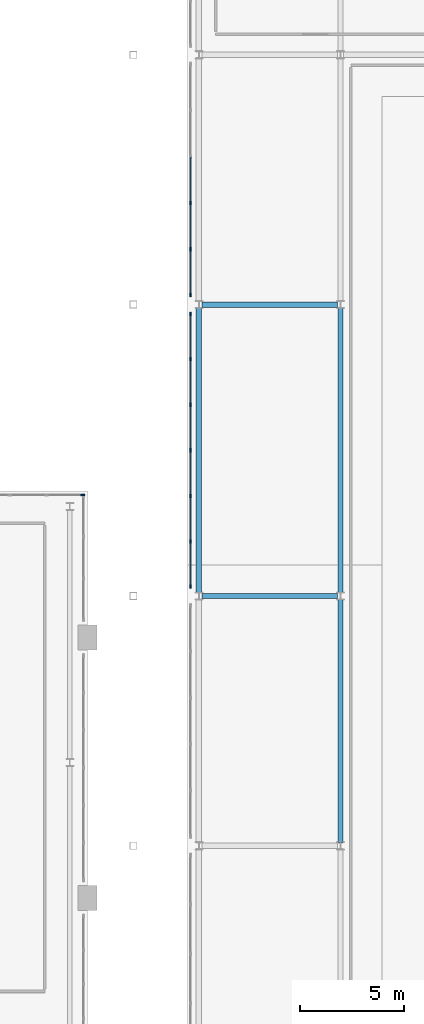
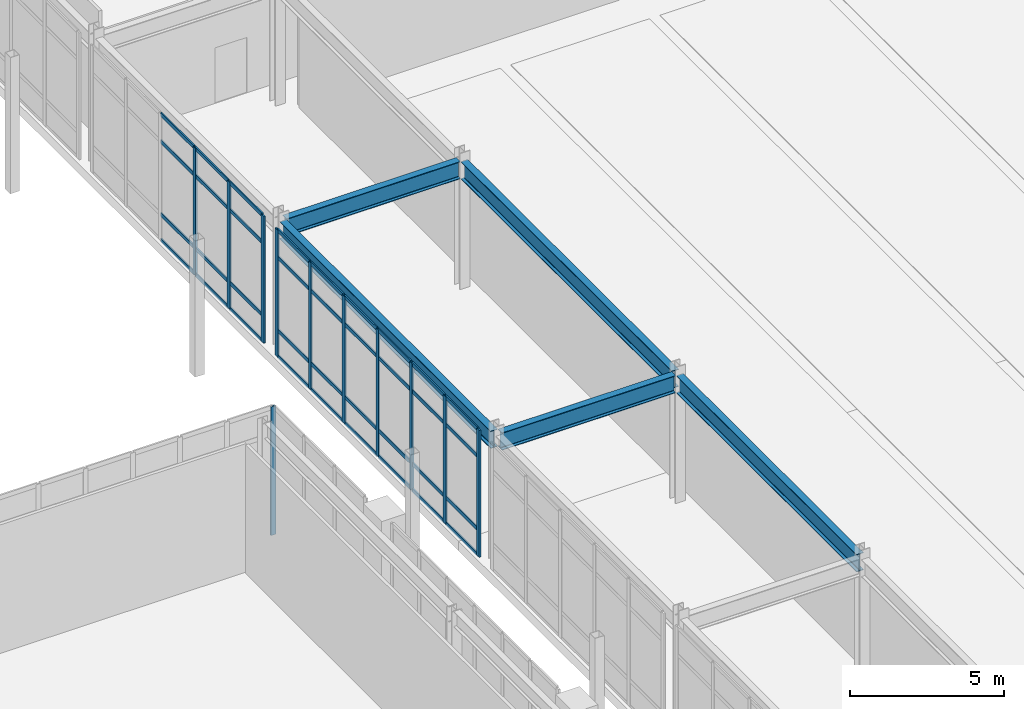
# One storey, part 70 of 159: 47 members, 5 beams, 3 elements without a shape of their own.
"""IFC4 building model written with IfcOpenShell, lengths in metres."""

import ifcopenshell
import ifcopenshell.guid

model = None  # the IFC model being written
_history = None  # IfcOwnerHistory: only IFC2X3 demands one
_inside = {}  # id of a spatial element -> (the spatial element, [elements in it])
_under = {}  # id of a project, library or spatial element -> (it, [spatial elements below it])
_declared = {}  # id of a project -> (the project, [libraries it declares])
_typed = {}  # id of a type object -> (the type object, [elements of that type])
_made_of = {}  # id of a material, layer set ... -> (it, [elements and type objects made of it])


def new_model(schema):
    """Start an empty IFC model of exactly this schema.

    Asked for "IFC4X3", IfcOpenShell would pick the latest addendum, in which some entities
    have other attributes; the version numbers below select the first issue.
    IFC2X3 requires an IfcOwnerHistory on every rooted entity: one is made here for all.
    """
    global model, _history
    if schema == "IFC4X3":
        model = ifcopenshell.file(schema_version=(4, 3, 0, 0))
    else:
        model = ifcopenshell.file(schema=schema)
    _inside.clear()
    _under.clear()
    _declared.clear()
    _typed.clear()
    _made_of.clear()
    _history = None
    if model.schema == "IFC2X3":
        org = make("IfcOrganization", Name="unknown")
        user = make(
            "IfcPersonAndOrganization",
            ThePerson=make("IfcPerson", FamilyName="unknown"),
            TheOrganization=org,
        )
        app = make(
            "IfcApplication",
            ApplicationDeveloper=org,
            Version="unknown",
            ApplicationFullName="unknown",
            ApplicationIdentifier="unknown",
        )
        _history = make(
            "IfcOwnerHistory",
            OwningUser=user,
            OwningApplication=app,
            ChangeAction="ADDED",
            CreationDate=0,
        )
    return model


def make(cls, **values):
    """One entity of the class cls with the attributes given. An attribute that is None is left unset."""
    return model.create_entity(
        cls, **{name: value for name, value in values.items() if value is not None}
    )


def rooted(cls, **values):
    """An entity with a GlobalId (a new one), such as an element, a storey or a relation."""
    return make(cls, GlobalId=ifcopenshell.guid.new(), OwnerHistory=_history, **values)


def si_unit(unit_type, name, prefix=None):
    """IfcSIUnit, for example si_unit("LENGTHUNIT", "METRE", prefix="MILLI")."""
    return make("IfcSIUnit", UnitType=unit_type, Prefix=prefix, Name=name)


def derived_unit(unit_type, elements):
    """IfcDerivedUnit: a product of units, each with its exponent."""
    return make(
        "IfcDerivedUnit",
        Elements=[
            make("IfcDerivedUnitElement", Unit=unit, Exponent=power)
            for unit, power in elements
        ],
        UnitType=unit_type,
    )


def assignment(units):
    """IfcUnitAssignment: the units of a project."""
    return None if units is None else make("IfcUnitAssignment", Units=units)


def point(xyz):
    """IfcCartesianPoint."""
    return None if xyz is None else make("IfcCartesianPoint", Coordinates=xyz)


def direction(xyz):
    """IfcDirection."""
    return None if xyz is None else make("IfcDirection", DirectionRatios=xyz)


def frame(location, z_axis=None, x_axis=None):
    """IfcAxis2Placement3D, a coordinate frame: its origin and axes. An axis left out is left unset."""
    return make(
        "IfcAxis2Placement3D",
        Location=point(location),
        Axis=direction(z_axis),
        RefDirection=direction(x_axis),
    )


def frame_2d(location, x_axis=None):
    """IfcAxis2Placement2D, a coordinate frame in the plane: its origin and x axis."""
    return make(
        "IfcAxis2Placement2D", Location=point(location), RefDirection=direction(x_axis)
    )


def origin():
    """The frame at (0, 0, 0) with its axes left unset."""
    return frame((0.0, 0.0, 0.0))


def origin_2d():
    """The frame at (0, 0) in the plane with its x axis left unset."""
    return frame_2d((0.0, 0.0))


def place(relative_to, where):
    """IfcLocalPlacement: puts the frame where relative to a parent placement (None: the world)."""
    return make(
        "IfcLocalPlacement", PlacementRelTo=relative_to, RelativePlacement=where
    )


def context(
    kind, dimensions, precision=None, world=None, true_north=None, identifier=None
):
    """IfcGeometricRepresentationContext, for example the 3D "Model" context."""
    return make(
        "IfcGeometricRepresentationContext",
        ContextIdentifier=identifier,
        ContextType=kind,
        CoordinateSpaceDimension=dimensions,
        Precision=precision,
        WorldCoordinateSystem=world,
        TrueNorth=true_north,
    )


def subcontext(parent, identifier, kind, view, scale=None):
    """IfcGeometricRepresentationSubContext, for example "Body" below "Model"."""
    return make(
        "IfcGeometricRepresentationSubContext",
        ContextIdentifier=identifier,
        ContextType=kind,
        ParentContext=parent,
        TargetScale=scale,
        TargetView=view,
    )


def project(units=None, contexts=None):
    """IfcProject with its units and contexts."""
    return rooted(
        "IfcProject",
        Name="project",
        RepresentationContexts=contexts,
        UnitsInContext=assignment(units),
    )


def spatial(cls, under=None, at=None, **own):
    """A site, building, storey or space (cls), placed at a placement, below another one or the project."""
    s = rooted(cls, ObjectPlacement=at, **own)
    if under is not None:
        _under.setdefault(under.id(), (under, []))[1].append(s)
    return s


def profile(cls, at=None, kind="AREA", **sizes):
    """A parametric profile (cls). Its sizes go by their IFC names, for example OverallWidth=200.0."""
    return make(cls, ProfileType=kind, Position=at, **sizes)


def rectangle(**sizes):
    """IfcRectangleProfileDef."""
    return profile("IfcRectangleProfileDef", **sizes)


def i_section(**sizes):
    """IfcIShapeProfileDef."""
    return profile("IfcIShapeProfileDef", **sizes)


def extrude(swept, where, along, depth):
    """IfcExtrudedAreaSolid: the profile swept, set in the frame where, extruded along a direction by depth."""
    return make(
        "IfcExtrudedAreaSolid",
        SweptArea=swept,
        Position=where,
        ExtrudedDirection=direction(along),
        Depth=depth,
    )


def shape(context_of_items, identifier, shape_type, items):
    """IfcShapeRepresentation: the items that make up one representation, for example the "Body"."""
    return make(
        "IfcShapeRepresentation",
        ContextOfItems=context_of_items,
        RepresentationIdentifier=identifier,
        RepresentationType=shape_type,
        Items=items,
    )


def material(Name=None, Category=None):
    """IfcMaterial."""
    return make("IfcMaterial", Name=Name, Category=Category)


def layer(
    of_material, thickness, ventilated=None, Name=None, Category=None, Priority=None
):
    """IfcMaterialLayer: one layer of a wall or slab, of a material (None: an air gap)."""
    return make(
        "IfcMaterialLayer",
        Material=of_material,
        LayerThickness=thickness,
        IsVentilated=ventilated,
        Name=Name,
        Category=Category,
        Priority=Priority,
    )


def layer_set(layers, Name=None):
    """IfcMaterialLayerSet."""
    return make("IfcMaterialLayerSet", MaterialLayers=layers, LayerSetName=Name)


def material_profile(
    of_material, cross_section, Name=None, Category=None, Priority=None
):
    """IfcMaterialProfile: a cross section and its material."""
    return make(
        "IfcMaterialProfile",
        Name=Name,
        Material=of_material,
        Profile=cross_section,
        Priority=Priority,
        Category=Category,
    )


def profile_set(profiles, Name=None, composite=None):
    """IfcMaterialProfileSet."""
    return make(
        "IfcMaterialProfileSet",
        Name=Name,
        MaterialProfiles=profiles,
        CompositeProfile=composite,
    )


def made_of(thing, what):
    """Note that an element or type object is made of a material, layer set ...; save() writes the relation."""
    if what is not None:
        _made_of.setdefault(what.id(), (what, []))[1].append(thing)
    return thing


def type_object(cls, material=None, **own):
    """A type object (cls), such as IfcWallType, which elements share."""
    return made_of(rooted(cls, **own), material)


def element(
    cls,
    number,
    at=None,
    inside=None,
    cuts=None,
    type_object=None,
    material=None,
    context=None,
    identifier="Body",
    shape_type=None,
    held_by="IfcProductDefinitionShape",
    body=None,
    shapes=None,
    **own,
):
    """One element of the class cls, such as IfcWall. Its Tag is "e" and its number.

    at: its placement. inside: the storey or other place that contains it. cuts: it is an
    opening in that element (IfcRelVoidsElement). A single representation is given by context,
    identifier, shape_type and body (its items); several are given by shapes. held_by: the class
    of the entity that holds the representations. save() writes the other relations.
    """
    e = rooted(cls, Tag="e%d" % number, ObjectPlacement=at, **own)
    if body is not None:
        shapes = [shape(context, identifier, shape_type, body)]
    if shapes is not None:
        e.Representation = make(held_by, Representations=shapes)
    if inside is not None:
        _inside.setdefault(inside.id(), (inside, []))[1].append(e)
    if cuts is not None:
        rooted(
            "IfcRelVoidsElement", RelatingBuildingElement=cuts, RelatedOpeningElement=e
        )
    if type_object is not None:
        _typed.setdefault(type_object.id(), (type_object, []))[1].append(e)
    return made_of(e, material)


def aggregate(whole, parts):
    """IfcRelAggregates: a whole, such as a stair, and the parts it consists of."""
    return rooted("IfcRelAggregates", RelatingObject=whole, RelatedObjects=parts)


def save(model, path):
    """Write the relations noted so far, then the file.

    IfcRelAggregates (storeys below a building ...), IfcRelContainedInSpatialStructure (elements
    in a storey), IfcRelDefinesByType, IfcRelAssociatesMaterial and IfcRelDeclares: one each for
    every whole, place, type object, material and project.
    """
    for whole, parts in _under.values():
        aggregate(whole, parts)
    for where, things in _inside.values():
        rooted(
            "IfcRelContainedInSpatialStructure",
            RelatedElements=things,
            RelatingStructure=where,
        )
    for kind, things in _typed.values():
        rooted("IfcRelDefinesByType", RelatedObjects=things, RelatingType=kind)
    for what, things in _made_of.values():
        rooted("IfcRelAssociatesMaterial", RelatedObjects=things, RelatingMaterial=what)
    for by, libraries in _declared.values():
        rooted("IfcRelDeclares", RelatingContext=by, RelatedDefinitions=libraries)
    model.write(path)


model = new_model("IFC4")

# Units and contexts
model_context = context("Model", 3, precision=1e-05, world=origin(), true_north=direction((0.0, 1.0)))
body_context = subcontext(model_context, "Body", "Model", "MODEL_VIEW")
ifc_project = project(units=[si_unit("LENGTHUNIT", "METRE"), si_unit("AREAUNIT", "SQUARE_METRE"), si_unit("VOLUMEUNIT", "CUBIC_METRE"), si_unit("PLANEANGLEUNIT", "RADIAN"), si_unit("MASSUNIT", "GRAM", prefix="KILO"), derived_unit("THERMALTRANSMITTANCEUNIT", [(si_unit("MASSUNIT", "GRAM", prefix="KILO"), 1), (si_unit("TIMEUNIT", "SECOND"), -3), (si_unit("THERMODYNAMICTEMPERATUREUNIT", "KELVIN"), -1)])], contexts=[model_context])

# Site, building, storey
site_placement = place(None, origin())
site = spatial("IfcSite", under=ifc_project, at=site_placement, CompositionType="ELEMENT")
building_placement = place(site_placement, origin())
building = spatial("IfcBuilding", under=site, at=building_placement, Name="Valcora Ridge Arena", CompositionType="ELEMENT")
storey_placement = place(building_placement, frame((0.0, 0.0, 6.0)))
storey = spatial("IfcBuildingStorey", under=building, at=storey_placement, Name="L01", CompositionType="ELEMENT", Elevation=6.0)

# Beams
ifc_material_1 = material(Name="Steel ASTM A572 Grade 50", Category="steel")
ifc_material_profile_1 = material_profile(ifc_material_1, i_section(OverallWidth=0.256103515625, OverallDepth=0.693115234375, WebThickness=0.014404296875, FlangeThickness=0.023681640625, FilletRadius=0.02001953125, at=origin_2d()), Name="W27X114")
ifc_profile_set_1 = profile_set([ifc_material_profile_1], Name="Steel ASTM A572 Grade 50")
beam_type_1 = type_object("IfcBeamType", Name="TY-BEAM-G-W27X114-X", PredefinedType="BEAM", material=ifc_profile_set_1)
for number, where, z_axis, x_axis, name in (
    (1, (137.340087890625, 40.0, 4.693603515625), (1.0, 0.0, 0.0), (0.0, 1.0, 0.0), "G-W27X114-X BEM-G-W27X114-X-0029"),
    (2, (137.340087890625, 54.0, 4.693603515625), (1.0, 0.0, 0.0), (0.0, 1.0, 0.0), "G-W27X114-X BEM-G-W27X114-X-0031"),
):
    element("IfcBeam", number, at=place(storey_placement, frame(where, z_axis=z_axis, x_axis=x_axis)), inside=storey, type_object=beam_type_1, Name=name, PredefinedType="BEAM", context=body_context, shape_type="SweptSolid", body=[
        extrude(i_section(OverallWidth=0.256103515625, OverallDepth=0.693115234375, WebThickness=0.014404296875, FlangeThickness=0.023681640625, FilletRadius=0.02001953125, at=origin_2d()), origin(), (0.0, 0.0, 1.0), 6.52001953125),
    ])
ifc_material_profile_2 = material_profile(ifc_material_1, i_section(OverallWidth=0.256103515625, OverallDepth=0.693115234375, WebThickness=0.014404296875, FlangeThickness=0.023681640625, FilletRadius=0.02001953125, at=origin_2d()), Name="W27X114")
ifc_profile_set_2 = profile_set([ifc_material_profile_2], Name="Steel ASTM A572 Grade 50")
beam_type_2 = type_object("IfcBeamType", Name="TY-BEAM-G-W27X114-Y", PredefinedType="BEAM", material=ifc_profile_set_2)
beam_1_placement = place(storey_placement, frame((137.199951171875, 40.139892578125, 4.693603515625), z_axis=(0.0, 1.0, 0.0), x_axis=(-1.0, 0.0, 0.0)))
element("IfcBeam", 3, at=beam_1_placement, inside=storey, type_object=beam_type_2, Name="G-W27X114-Y BEM-G-W27X114-Y-0037", PredefinedType="BEAM", context=body_context, shape_type="SweptSolid", body=[
    extrude(i_section(OverallWidth=0.256103515625, OverallDepth=0.693115234375, WebThickness=0.014404296875, FlangeThickness=0.023681640625, FilletRadius=0.02001953125, at=origin_2d()), origin(), (0.0, 0.0, 1.0), 13.72021484375),
])
beam_2_placement = place(storey_placement, frame((144.0, 28.139892578125, 4.693603515625), z_axis=(0.0, 1.0, 0.0), x_axis=(-1.0, 0.0, 0.0)))
element("IfcBeam", 4, at=beam_2_placement, inside=storey, type_object=beam_type_2, Name="G-W27X114-Y BEM-G-W27X114-Y-0042", PredefinedType="BEAM", context=body_context, shape_type="SweptSolid", body=[
    extrude(i_section(OverallWidth=0.256103515625, OverallDepth=0.693115234375, WebThickness=0.014404296875, FlangeThickness=0.023681640625, FilletRadius=0.02001953125, at=origin_2d()), origin(), (0.0, 0.0, 1.0), 11.72021484375),
])
beam_3_placement = place(storey_placement, frame((144.0, 40.139892578125, 4.693603515625), z_axis=(0.0, 1.0, 0.0), x_axis=(-1.0, 0.0, 0.0)))
element("IfcBeam", 5, at=beam_3_placement, inside=storey, type_object=beam_type_2, Name="G-W27X114-Y BEM-G-W27X114-Y-0043", PredefinedType="BEAM", context=body_context, shape_type="SweptSolid", body=[
    extrude(i_section(OverallWidth=0.256103515625, OverallDepth=0.693115234375, WebThickness=0.014404296875, FlangeThickness=0.023681640625, FilletRadius=0.02001953125, at=origin_2d()), origin(), (0.0, 0.0, 1.0), 13.72021484375),
])

# Curtain wall, member
ifc_material_2 = material(Name="Anodised dark bronze architectural aluminium 6063-T6", Category="aluminium")
ifc_layer_1 = layer(ifc_material_2, 0.179931640625, Name="Anodised dark bronze architectural aluminium 6063-T6")
ifc_layer_set_1 = layer_set([ifc_layer_1], Name="Anodised dark bronze architectural aluminium 6063-T6")
curtain_wall_type_1 = type_object("IfcCurtainWallType", Name="TY-CURTAINWALL-CW-V3-LANCET-194X51", PredefinedType="NOTDEFINED", material=ifc_layer_set_1)
curtain_wall_1_placement = place(storey_placement, origin())
curtain_wall_1 = element("IfcCurtainWall", 6, at=curtain_wall_1_placement, inside=storey, type_object=curtain_wall_type_1, Name="CW-V3-LANCET-194X51 CW-0017", PredefinedType="NOTDEFINED")
ifc_material_profile_3 = material_profile(ifc_material_2, rectangle(XDim=0.06005859375, YDim=0.179931640625, at=origin_2d()), Name="ALU MULLION 60x180")
ifc_profile_set_3 = profile_set([ifc_material_profile_3], Name="Anodised dark bronze architectural aluminium 6063-T6")
member_type_1 = type_object("IfcMemberType", Name="TY-MEM-CWM-60x180", PredefinedType="MULLION", material=ifc_profile_set_3)
member_1_placement = place(storey_placement, frame((131.6201171875, 44.85009765625, 0.0), z_axis=(0.0, 0.0, 1.0), x_axis=(0.0, 1.0, 0.0)))
member_1 = element("IfcMember", 7, at=member_1_placement, type_object=member_type_1, Name="CW-0017/CWM-60x180/M11", PredefinedType="MULLION", context=body_context, shape_type="SweptSolid", body=[
    extrude(rectangle(XDim=0.06005859375, YDim=0.179931640625, at=origin_2d()), origin(), (0.0, 0.0, 1.0), 5.10009765625),
])
aggregate(curtain_wall_1, [member_1])

# Curtain wall, members
ifc_layer_2 = layer(ifc_material_2, 0.179931640625, Name="Anodised dark bronze architectural aluminium 6063-T6")
ifc_layer_set_2 = layer_set([ifc_layer_2], Name="Anodised dark bronze architectural aluminium 6063-T6")
curtain_wall_type_2 = type_object("IfcCurtainWallType", Name="TY-CURTAINWALL-CW-V2-GLAZ-131X50", PredefinedType="NOTDEFINED", material=ifc_layer_set_2)
curtain_wall_2_placement = place(storey_placement, origin())
curtain_wall_2 = element("IfcCurtainWall", 8, at=curtain_wall_2_placement, inside=storey, type_object=curtain_wall_type_2, Name="CW-V2-GLAZ-131X50 CW-0041", PredefinedType="NOTDEFINED")
member_2_placement = place(storey_placement, frame((136.800048828125, 40.45654296875, 0.0), z_axis=(0.0, 0.0, 1.0), x_axis=(-1.0, 0.0, 0.0)))
member_2 = element("IfcMember", 9, at=member_2_placement, type_object=member_type_1, Name="CW-0041/CWM-60x180/M00", PredefinedType="MULLION", context=body_context, shape_type="SweptSolid", body=[
    extrude(rectangle(XDim=0.06005859375, YDim=0.179931640625, at=origin_2d()), origin(), (0.0, 0.0, 1.0), 5.0400390625),
])
member_3_placement = place(storey_placement, frame((136.800048828125, 42.61767578125, 0.0), z_axis=(0.0, 0.0, 1.0), x_axis=(-1.0, 0.0, 0.0)))
member_3 = element("IfcMember", 10, at=member_3_placement, type_object=member_type_1, Name="CW-0041/CWM-60x180/M01", PredefinedType="MULLION", context=body_context, shape_type="SweptSolid", body=[
    extrude(rectangle(XDim=0.06005859375, YDim=0.179931640625, at=origin_2d()), origin(), (0.0, 0.0, 1.0), 5.0400390625),
])
member_4_placement = place(storey_placement, frame((136.800048828125, 44.808837890625, 0.0), z_axis=(0.0, 0.0, 1.0), x_axis=(-1.0, 0.0, 0.0)))
member_4 = element("IfcMember", 11, at=member_4_placement, type_object=member_type_1, Name="CW-0041/CWM-60x180/M02", PredefinedType="MULLION", context=body_context, shape_type="SweptSolid", body=[
    extrude(rectangle(XDim=0.06005859375, YDim=0.179931640625, at=origin_2d()), origin(), (0.0, 0.0, 1.0), 5.0400390625),
])
member_5_placement = place(storey_placement, frame((136.800048828125, 47.0, 0.0), z_axis=(0.0, 0.0, 1.0), x_axis=(-1.0, 0.0, 0.0)))
member_5 = element("IfcMember", 12, at=member_5_placement, type_object=member_type_1, Name="CW-0041/CWM-60x180/M03", PredefinedType="MULLION", context=body_context, shape_type="SweptSolid", body=[
    extrude(rectangle(XDim=0.06005859375, YDim=0.179931640625, at=origin_2d()), origin(), (0.0, 0.0, 1.0), 5.0400390625),
])
member_6_placement = place(storey_placement, frame((136.800048828125, 49.191162109375, 0.0), z_axis=(0.0, 0.0, 1.0), x_axis=(-1.0, 0.0, 0.0)))
member_6 = element("IfcMember", 13, at=member_6_placement, type_object=member_type_1, Name="CW-0041/CWM-60x180/M04", PredefinedType="MULLION", context=body_context, shape_type="SweptSolid", body=[
    extrude(rectangle(XDim=0.06005859375, YDim=0.179931640625, at=origin_2d()), origin(), (0.0, 0.0, 1.0), 5.0400390625),
])
member_7_placement = place(storey_placement, frame((136.800048828125, 51.38232421875, 0.0), z_axis=(0.0, 0.0, 1.0), x_axis=(-1.0, 0.0, 0.0)))
member_7 = element("IfcMember", 14, at=member_7_placement, type_object=member_type_1, Name="CW-0041/CWM-60x180/M05", PredefinedType="MULLION", context=body_context, shape_type="SweptSolid", body=[
    extrude(rectangle(XDim=0.06005859375, YDim=0.179931640625, at=origin_2d()), origin(), (0.0, 0.0, 1.0), 5.0400390625),
])
member_8_placement = place(storey_placement, frame((136.800048828125, 53.54345703125, 0.0), z_axis=(0.0, 0.0, 1.0), x_axis=(-1.0, 0.0, 0.0)))
member_8 = element("IfcMember", 15, at=member_8_placement, type_object=member_type_1, Name="CW-0041/CWM-60x180/M06", PredefinedType="MULLION", context=body_context, shape_type="SweptSolid", body=[
    extrude(rectangle(XDim=0.06005859375, YDim=0.179931640625, at=origin_2d()), origin(), (0.0, 0.0, 1.0), 5.0400390625),
])

ifc_layer_3 = layer(ifc_material_2, 0.179931640625, Name="Anodised dark bronze architectural aluminium 6063-T6")
ifc_layer_set_3 = layer_set([ifc_layer_3], Name="Anodised dark bronze architectural aluminium 6063-T6")
curtain_wall_type_3 = type_object("IfcCurtainWallType", Name="TY-CURTAINWALL-CW-V2-GLAZ-111X50", PredefinedType="NOTDEFINED", material=ifc_layer_set_3)
curtain_wall_3_placement = place(storey_placement, origin())
curtain_wall_3 = element("IfcCurtainWall", 16, at=curtain_wall_3_placement, inside=storey, type_object=curtain_wall_type_3, Name="CW-V2-GLAZ-111X50 CW-0042", PredefinedType="NOTDEFINED")
member_9_placement = place(storey_placement, frame((136.800048828125, 54.45654296875, 0.0), z_axis=(0.0, 0.0, 1.0), x_axis=(-1.0, 0.0, 0.0)))
member_9 = element("IfcMember", 17, at=member_9_placement, type_object=member_type_1, Name="CW-0042/CWM-60x180/M00", PredefinedType="MULLION", context=body_context, shape_type="SweptSolid", body=[
    extrude(rectangle(XDim=0.06005859375, YDim=0.179931640625, at=origin_2d()), origin(), (0.0, 0.0, 1.0), 5.0400390625),
])
member_10_placement = place(storey_placement, frame((136.800048828125, 56.656005859375, 0.0), z_axis=(0.0, 0.0, 1.0), x_axis=(-1.0, 0.0, 0.0)))
member_10 = element("IfcMember", 18, at=member_10_placement, type_object=member_type_1, Name="CW-0042/CWM-60x180/M01", PredefinedType="MULLION", context=body_context, shape_type="SweptSolid", body=[
    extrude(rectangle(XDim=0.06005859375, YDim=0.179931640625, at=origin_2d()), origin(), (0.0, 0.0, 1.0), 5.0400390625),
])
member_11_placement = place(storey_placement, frame((136.800048828125, 58.88525390625, 0.0), z_axis=(0.0, 0.0, 1.0), x_axis=(-1.0, 0.0, 0.0)))
member_11 = element("IfcMember", 19, at=member_11_placement, type_object=member_type_1, Name="CW-0042/CWM-60x180/M02", PredefinedType="MULLION", context=body_context, shape_type="SweptSolid", body=[
    extrude(rectangle(XDim=0.06005859375, YDim=0.179931640625, at=origin_2d()), origin(), (0.0, 0.0, 1.0), 5.0400390625),
])

# Member
ifc_material_profile_4 = material_profile(ifc_material_2, rectangle(XDim=0.050048828125, YDim=0.14990234375, at=origin_2d()), Name="ALU TRANSOM 50x150")
ifc_profile_set_4 = profile_set([ifc_material_profile_4], Name="Anodised dark bronze architectural aluminium 6063-T6")
member_type_2 = type_object("IfcMemberType", Name="TY-MEM-CWT-50x150", PredefinedType="USERDEFINED", material=ifc_profile_set_4)
member_12_placement = place(storey_placement, frame((136.800048828125, 40.486572265625, 0.02490234375), z_axis=(0.0, 1.0, 0.0), x_axis=(-1.0, 0.0, 0.0)))
member_12 = element("IfcMember", 20, at=member_12_placement, type_object=member_type_2, Name="CW-0041/CWT-50x150/T00-00", ObjectType="TRANSOM", PredefinedType="USERDEFINED", context=body_context, shape_type="SweptSolid", body=[
    extrude(rectangle(XDim=0.050048828125, YDim=0.14990234375, at=origin_2d()), origin(), (0.0, 0.0, 1.0), 2.100830078125),
])

member_13_placement = place(storey_placement, frame((136.800048828125, 40.486572265625, 1.050048828125), z_axis=(0.0, 1.0, 0.0), x_axis=(-1.0, 0.0, 0.0)))
member_13 = element("IfcMember", 21, at=member_13_placement, type_object=member_type_2, Name="CW-0041/CWT-50x150/T00-01", ObjectType="TRANSOM", PredefinedType="USERDEFINED", context=body_context, shape_type="SweptSolid", body=[
    extrude(rectangle(XDim=0.050048828125, YDim=0.14990234375, at=origin_2d()), origin(), (0.0, 0.0, 1.0), 2.100830078125),
])

member_14_placement = place(storey_placement, frame((136.800048828125, 40.486572265625, 3.93994140625), z_axis=(0.0, 1.0, 0.0), x_axis=(-1.0, 0.0, 0.0)))
member_14 = element("IfcMember", 22, at=member_14_placement, type_object=member_type_2, Name="CW-0041/CWT-50x150/T00-02", ObjectType="TRANSOM", PredefinedType="USERDEFINED", context=body_context, shape_type="SweptSolid", body=[
    extrude(rectangle(XDim=0.050048828125, YDim=0.14990234375, at=origin_2d()), origin(), (0.0, 0.0, 1.0), 2.100830078125),
])

member_15_placement = place(storey_placement, frame((136.800048828125, 40.486572265625, 5.014892578125), z_axis=(0.0, 1.0, 0.0), x_axis=(-1.0, 0.0, 0.0)))
member_15 = element("IfcMember", 23, at=member_15_placement, type_object=member_type_2, Name="CW-0041/CWT-50x150/T00-03", ObjectType="TRANSOM", PredefinedType="USERDEFINED", context=body_context, shape_type="SweptSolid", body=[
    extrude(rectangle(XDim=0.050048828125, YDim=0.14990234375, at=origin_2d()), origin(), (0.0, 0.0, 1.0), 2.100830078125),
])

member_16_placement = place(storey_placement, frame((136.800048828125, 42.6474609375, 0.02490234375), z_axis=(0.0, 1.0, 0.0), x_axis=(-1.0, 0.0, 0.0)))
member_16 = element("IfcMember", 24, at=member_16_placement, type_object=member_type_2, Name="CW-0041/CWT-50x150/T01-00", ObjectType="TRANSOM", PredefinedType="USERDEFINED", context=body_context, shape_type="SweptSolid", body=[
    extrude(rectangle(XDim=0.050048828125, YDim=0.14990234375, at=origin_2d()), origin(), (0.0, 0.0, 1.0), 2.131103515625),
])

member_17_placement = place(storey_placement, frame((136.800048828125, 42.6474609375, 1.050048828125), z_axis=(0.0, 1.0, 0.0), x_axis=(-1.0, 0.0, 0.0)))
member_17 = element("IfcMember", 25, at=member_17_placement, type_object=member_type_2, Name="CW-0041/CWT-50x150/T01-01", ObjectType="TRANSOM", PredefinedType="USERDEFINED", context=body_context, shape_type="SweptSolid", body=[
    extrude(rectangle(XDim=0.050048828125, YDim=0.14990234375, at=origin_2d()), origin(), (0.0, 0.0, 1.0), 2.131103515625),
])

member_18_placement = place(storey_placement, frame((136.800048828125, 42.6474609375, 3.93994140625), z_axis=(0.0, 1.0, 0.0), x_axis=(-1.0, 0.0, 0.0)))
member_18 = element("IfcMember", 26, at=member_18_placement, type_object=member_type_2, Name="CW-0041/CWT-50x150/T01-02", ObjectType="TRANSOM", PredefinedType="USERDEFINED", context=body_context, shape_type="SweptSolid", body=[
    extrude(rectangle(XDim=0.050048828125, YDim=0.14990234375, at=origin_2d()), origin(), (0.0, 0.0, 1.0), 2.131103515625),
])

member_19_placement = place(storey_placement, frame((136.800048828125, 42.6474609375, 5.014892578125), z_axis=(0.0, 1.0, 0.0), x_axis=(-1.0, 0.0, 0.0)))
member_19 = element("IfcMember", 27, at=member_19_placement, type_object=member_type_2, Name="CW-0041/CWT-50x150/T01-03", ObjectType="TRANSOM", PredefinedType="USERDEFINED", context=body_context, shape_type="SweptSolid", body=[
    extrude(rectangle(XDim=0.050048828125, YDim=0.14990234375, at=origin_2d()), origin(), (0.0, 0.0, 1.0), 2.131103515625),
])

member_20_placement = place(storey_placement, frame((136.800048828125, 44.83837890625, 0.02490234375), z_axis=(0.0, 1.0, 0.0), x_axis=(-1.0, 0.0, 0.0)))
member_20 = element("IfcMember", 28, at=member_20_placement, type_object=member_type_2, Name="CW-0041/CWT-50x150/T02-00", ObjectType="TRANSOM", PredefinedType="USERDEFINED", context=body_context, shape_type="SweptSolid", body=[
    extrude(rectangle(XDim=0.050048828125, YDim=0.14990234375, at=origin_2d()), origin(), (0.0, 0.0, 1.0), 2.131103515625),
])

member_21_placement = place(storey_placement, frame((136.800048828125, 44.83837890625, 1.050048828125), z_axis=(0.0, 1.0, 0.0), x_axis=(-1.0, 0.0, 0.0)))
member_21 = element("IfcMember", 29, at=member_21_placement, type_object=member_type_2, Name="CW-0041/CWT-50x150/T02-01", ObjectType="TRANSOM", PredefinedType="USERDEFINED", context=body_context, shape_type="SweptSolid", body=[
    extrude(rectangle(XDim=0.050048828125, YDim=0.14990234375, at=origin_2d()), origin(), (0.0, 0.0, 1.0), 2.131103515625),
])

member_22_placement = place(storey_placement, frame((136.800048828125, 44.83837890625, 3.93994140625), z_axis=(0.0, 1.0, 0.0), x_axis=(-1.0, 0.0, 0.0)))
member_22 = element("IfcMember", 30, at=member_22_placement, type_object=member_type_2, Name="CW-0041/CWT-50x150/T02-02", ObjectType="TRANSOM", PredefinedType="USERDEFINED", context=body_context, shape_type="SweptSolid", body=[
    extrude(rectangle(XDim=0.050048828125, YDim=0.14990234375, at=origin_2d()), origin(), (0.0, 0.0, 1.0), 2.131103515625),
])

member_23_placement = place(storey_placement, frame((136.800048828125, 44.83837890625, 5.014892578125), z_axis=(0.0, 1.0, 0.0), x_axis=(-1.0, 0.0, 0.0)))
member_23 = element("IfcMember", 31, at=member_23_placement, type_object=member_type_2, Name="CW-0041/CWT-50x150/T02-03", ObjectType="TRANSOM", PredefinedType="USERDEFINED", context=body_context, shape_type="SweptSolid", body=[
    extrude(rectangle(XDim=0.050048828125, YDim=0.14990234375, at=origin_2d()), origin(), (0.0, 0.0, 1.0), 2.131103515625),
])

member_24_placement = place(storey_placement, frame((136.800048828125, 47.030517578125, 0.02490234375), z_axis=(0.0, 1.0, 0.0), x_axis=(-1.0, 0.0, 0.0)))
member_24 = element("IfcMember", 32, at=member_24_placement, type_object=member_type_2, Name="CW-0041/CWT-50x150/T03-00", ObjectType="TRANSOM", PredefinedType="USERDEFINED", context=body_context, shape_type="SweptSolid", body=[
    extrude(rectangle(XDim=0.050048828125, YDim=0.14990234375, at=origin_2d()), origin(), (0.0, 0.0, 1.0), 2.131103515625),
])

member_25_placement = place(storey_placement, frame((136.800048828125, 47.030517578125, 1.050048828125), z_axis=(0.0, 1.0, 0.0), x_axis=(-1.0, 0.0, 0.0)))
member_25 = element("IfcMember", 33, at=member_25_placement, type_object=member_type_2, Name="CW-0041/CWT-50x150/T03-01", ObjectType="TRANSOM", PredefinedType="USERDEFINED", context=body_context, shape_type="SweptSolid", body=[
    extrude(rectangle(XDim=0.050048828125, YDim=0.14990234375, at=origin_2d()), origin(), (0.0, 0.0, 1.0), 2.131103515625),
])

member_26_placement = place(storey_placement, frame((136.800048828125, 47.030517578125, 3.93994140625), z_axis=(0.0, 1.0, 0.0), x_axis=(-1.0, 0.0, 0.0)))
member_26 = element("IfcMember", 34, at=member_26_placement, type_object=member_type_2, Name="CW-0041/CWT-50x150/T03-02", ObjectType="TRANSOM", PredefinedType="USERDEFINED", context=body_context, shape_type="SweptSolid", body=[
    extrude(rectangle(XDim=0.050048828125, YDim=0.14990234375, at=origin_2d()), origin(), (0.0, 0.0, 1.0), 2.131103515625),
])

member_27_placement = place(storey_placement, frame((136.800048828125, 47.030517578125, 5.014892578125), z_axis=(0.0, 1.0, 0.0), x_axis=(-1.0, 0.0, 0.0)))
member_27 = element("IfcMember", 35, at=member_27_placement, type_object=member_type_2, Name="CW-0041/CWT-50x150/T03-03", ObjectType="TRANSOM", PredefinedType="USERDEFINED", context=body_context, shape_type="SweptSolid", body=[
    extrude(rectangle(XDim=0.050048828125, YDim=0.14990234375, at=origin_2d()), origin(), (0.0, 0.0, 1.0), 2.131103515625),
])

member_28_placement = place(storey_placement, frame((136.800048828125, 49.221435546875, 0.02490234375), z_axis=(0.0, 1.0, 0.0), x_axis=(-1.0, 0.0, 0.0)))
member_28 = element("IfcMember", 36, at=member_28_placement, type_object=member_type_2, Name="CW-0041/CWT-50x150/T04-00", ObjectType="TRANSOM", PredefinedType="USERDEFINED", context=body_context, shape_type="SweptSolid", body=[
    extrude(rectangle(XDim=0.050048828125, YDim=0.14990234375, at=origin_2d()), origin(), (0.0, 0.0, 1.0), 2.131103515625),
])

member_29_placement = place(storey_placement, frame((136.800048828125, 49.221435546875, 1.050048828125), z_axis=(0.0, 1.0, 0.0), x_axis=(-1.0, 0.0, 0.0)))
member_29 = element("IfcMember", 37, at=member_29_placement, type_object=member_type_2, Name="CW-0041/CWT-50x150/T04-01", ObjectType="TRANSOM", PredefinedType="USERDEFINED", context=body_context, shape_type="SweptSolid", body=[
    extrude(rectangle(XDim=0.050048828125, YDim=0.14990234375, at=origin_2d()), origin(), (0.0, 0.0, 1.0), 2.131103515625),
])

member_30_placement = place(storey_placement, frame((136.800048828125, 49.221435546875, 3.93994140625), z_axis=(0.0, 1.0, 0.0), x_axis=(-1.0, 0.0, 0.0)))
member_30 = element("IfcMember", 38, at=member_30_placement, type_object=member_type_2, Name="CW-0041/CWT-50x150/T04-02", ObjectType="TRANSOM", PredefinedType="USERDEFINED", context=body_context, shape_type="SweptSolid", body=[
    extrude(rectangle(XDim=0.050048828125, YDim=0.14990234375, at=origin_2d()), origin(), (0.0, 0.0, 1.0), 2.131103515625),
])

member_31_placement = place(storey_placement, frame((136.800048828125, 49.221435546875, 5.014892578125), z_axis=(0.0, 1.0, 0.0), x_axis=(-1.0, 0.0, 0.0)))
member_31 = element("IfcMember", 39, at=member_31_placement, type_object=member_type_2, Name="CW-0041/CWT-50x150/T04-03", ObjectType="TRANSOM", PredefinedType="USERDEFINED", context=body_context, shape_type="SweptSolid", body=[
    extrude(rectangle(XDim=0.050048828125, YDim=0.14990234375, at=origin_2d()), origin(), (0.0, 0.0, 1.0), 2.131103515625),
])

member_32_placement = place(storey_placement, frame((136.800048828125, 51.41259765625, 0.02490234375), z_axis=(0.0, 1.0, 0.0), x_axis=(-1.0, 0.0, 0.0)))
member_32 = element("IfcMember", 40, at=member_32_placement, type_object=member_type_2, Name="CW-0041/CWT-50x150/T05-00", ObjectType="TRANSOM", PredefinedType="USERDEFINED", context=body_context, shape_type="SweptSolid", body=[
    extrude(rectangle(XDim=0.050048828125, YDim=0.14990234375, at=origin_2d()), origin(), (0.0, 0.0, 1.0), 2.100830078125),
])

member_33_placement = place(storey_placement, frame((136.800048828125, 51.41259765625, 1.050048828125), z_axis=(0.0, 1.0, 0.0), x_axis=(-1.0, 0.0, 0.0)))
member_33 = element("IfcMember", 41, at=member_33_placement, type_object=member_type_2, Name="CW-0041/CWT-50x150/T05-01", ObjectType="TRANSOM", PredefinedType="USERDEFINED", context=body_context, shape_type="SweptSolid", body=[
    extrude(rectangle(XDim=0.050048828125, YDim=0.14990234375, at=origin_2d()), origin(), (0.0, 0.0, 1.0), 2.100830078125),
])

member_34_placement = place(storey_placement, frame((136.800048828125, 51.41259765625, 3.93994140625), z_axis=(0.0, 1.0, 0.0), x_axis=(-1.0, 0.0, 0.0)))
member_34 = element("IfcMember", 42, at=member_34_placement, type_object=member_type_2, Name="CW-0041/CWT-50x150/T05-02", ObjectType="TRANSOM", PredefinedType="USERDEFINED", context=body_context, shape_type="SweptSolid", body=[
    extrude(rectangle(XDim=0.050048828125, YDim=0.14990234375, at=origin_2d()), origin(), (0.0, 0.0, 1.0), 2.100830078125),
])

member_35_placement = place(storey_placement, frame((136.800048828125, 51.41259765625, 5.014892578125), z_axis=(0.0, 1.0, 0.0), x_axis=(-1.0, 0.0, 0.0)))
member_35 = element("IfcMember", 43, at=member_35_placement, type_object=member_type_2, Name="CW-0041/CWT-50x150/T05-03", ObjectType="TRANSOM", PredefinedType="USERDEFINED", context=body_context, shape_type="SweptSolid", body=[
    extrude(rectangle(XDim=0.050048828125, YDim=0.14990234375, at=origin_2d()), origin(), (0.0, 0.0, 1.0), 2.100830078125),
])

aggregate(curtain_wall_2, [member_2, member_3, member_4, member_5, member_6, member_7, member_8, member_12, member_13, member_14, member_15, member_16, member_17, member_18, member_19, member_20, member_21, member_22, member_23, member_24, member_25, member_26, member_27, member_28, member_29, member_30, member_31, member_32, member_33, member_34, member_35])

member_36_placement = place(storey_placement, frame((136.800048828125, 54.486572265625, 0.02490234375), z_axis=(0.0, 1.0, 0.0), x_axis=(-1.0, 0.0, 0.0)))
member_36 = element("IfcMember", 44, at=member_36_placement, type_object=member_type_2, Name="CW-0042/CWT-50x150/T00-00", ObjectType="TRANSOM", PredefinedType="USERDEFINED", context=body_context, shape_type="SweptSolid", body=[
    extrude(rectangle(XDim=0.050048828125, YDim=0.14990234375, at=origin_2d()), origin(), (0.0, 0.0, 1.0), 2.138916015625),
])

member_37_placement = place(storey_placement, frame((136.800048828125, 54.486572265625, 1.050048828125), z_axis=(0.0, 1.0, 0.0), x_axis=(-1.0, 0.0, 0.0)))
member_37 = element("IfcMember", 45, at=member_37_placement, type_object=member_type_2, Name="CW-0042/CWT-50x150/T00-01", ObjectType="TRANSOM", PredefinedType="USERDEFINED", context=body_context, shape_type="SweptSolid", body=[
    extrude(rectangle(XDim=0.050048828125, YDim=0.14990234375, at=origin_2d()), origin(), (0.0, 0.0, 1.0), 2.138916015625),
])

member_38_placement = place(storey_placement, frame((136.800048828125, 54.486572265625, 3.93994140625), z_axis=(0.0, 1.0, 0.0), x_axis=(-1.0, 0.0, 0.0)))
member_38 = element("IfcMember", 46, at=member_38_placement, type_object=member_type_2, Name="CW-0042/CWT-50x150/T00-02", ObjectType="TRANSOM", PredefinedType="USERDEFINED", context=body_context, shape_type="SweptSolid", body=[
    extrude(rectangle(XDim=0.050048828125, YDim=0.14990234375, at=origin_2d()), origin(), (0.0, 0.0, 1.0), 2.138916015625),
])

member_39_placement = place(storey_placement, frame((136.800048828125, 54.486572265625, 5.014892578125), z_axis=(0.0, 1.0, 0.0), x_axis=(-1.0, 0.0, 0.0)))
member_39 = element("IfcMember", 47, at=member_39_placement, type_object=member_type_2, Name="CW-0042/CWT-50x150/T00-03", ObjectType="TRANSOM", PredefinedType="USERDEFINED", context=body_context, shape_type="SweptSolid", body=[
    extrude(rectangle(XDim=0.050048828125, YDim=0.14990234375, at=origin_2d()), origin(), (0.0, 0.0, 1.0), 2.138916015625),
])

member_40_placement = place(storey_placement, frame((136.800048828125, 56.685546875, 0.02490234375), z_axis=(0.0, 1.0, 0.0), x_axis=(-1.0, 0.0, 0.0)))
member_40 = element("IfcMember", 48, at=member_40_placement, type_object=member_type_2, Name="CW-0042/CWT-50x150/T01-00", ObjectType="TRANSOM", PredefinedType="USERDEFINED", context=body_context, shape_type="SweptSolid", body=[
    extrude(rectangle(XDim=0.050048828125, YDim=0.14990234375, at=origin_2d()), origin(), (0.0, 0.0, 1.0), 2.169921875),
])

member_41_placement = place(storey_placement, frame((136.800048828125, 56.685546875, 1.050048828125), z_axis=(0.0, 1.0, 0.0), x_axis=(-1.0, 0.0, 0.0)))
member_41 = element("IfcMember", 49, at=member_41_placement, type_object=member_type_2, Name="CW-0042/CWT-50x150/T01-01", ObjectType="TRANSOM", PredefinedType="USERDEFINED", context=body_context, shape_type="SweptSolid", body=[
    extrude(rectangle(XDim=0.050048828125, YDim=0.14990234375, at=origin_2d()), origin(), (0.0, 0.0, 1.0), 2.169921875),
])

member_42_placement = place(storey_placement, frame((136.800048828125, 56.685546875, 3.93994140625), z_axis=(0.0, 1.0, 0.0), x_axis=(-1.0, 0.0, 0.0)))
member_42 = element("IfcMember", 50, at=member_42_placement, type_object=member_type_2, Name="CW-0042/CWT-50x150/T01-02", ObjectType="TRANSOM", PredefinedType="USERDEFINED", context=body_context, shape_type="SweptSolid", body=[
    extrude(rectangle(XDim=0.050048828125, YDim=0.14990234375, at=origin_2d()), origin(), (0.0, 0.0, 1.0), 2.169921875),
])

member_43_placement = place(storey_placement, frame((136.800048828125, 56.685546875, 5.014892578125), z_axis=(0.0, 1.0, 0.0), x_axis=(-1.0, 0.0, 0.0)))
member_43 = element("IfcMember", 51, at=member_43_placement, type_object=member_type_2, Name="CW-0042/CWT-50x150/T01-03", ObjectType="TRANSOM", PredefinedType="USERDEFINED", context=body_context, shape_type="SweptSolid", body=[
    extrude(rectangle(XDim=0.050048828125, YDim=0.14990234375, at=origin_2d()), origin(), (0.0, 0.0, 1.0), 2.169921875),
])

member_44_placement = place(storey_placement, frame((136.800048828125, 58.91552734375, 0.02490234375), z_axis=(0.0, 1.0, 0.0), x_axis=(-1.0, 0.0, 0.0)))
member_44 = element("IfcMember", 52, at=member_44_placement, type_object=member_type_2, Name="CW-0042/CWT-50x150/T02-00", ObjectType="TRANSOM", PredefinedType="USERDEFINED", context=body_context, shape_type="SweptSolid", body=[
    extrude(rectangle(XDim=0.050048828125, YDim=0.14990234375, at=origin_2d()), origin(), (0.0, 0.0, 1.0), 2.1689453125),
])

member_45_placement = place(storey_placement, frame((136.800048828125, 58.91552734375, 1.050048828125), z_axis=(0.0, 1.0, 0.0), x_axis=(-1.0, 0.0, 0.0)))
member_45 = element("IfcMember", 53, at=member_45_placement, type_object=member_type_2, Name="CW-0042/CWT-50x150/T02-01", ObjectType="TRANSOM", PredefinedType="USERDEFINED", context=body_context, shape_type="SweptSolid", body=[
    extrude(rectangle(XDim=0.050048828125, YDim=0.14990234375, at=origin_2d()), origin(), (0.0, 0.0, 1.0), 2.1689453125),
])

member_46_placement = place(storey_placement, frame((136.800048828125, 58.91552734375, 3.93994140625), z_axis=(0.0, 1.0, 0.0), x_axis=(-1.0, 0.0, 0.0)))
member_46 = element("IfcMember", 54, at=member_46_placement, type_object=member_type_2, Name="CW-0042/CWT-50x150/T02-02", ObjectType="TRANSOM", PredefinedType="USERDEFINED", context=body_context, shape_type="SweptSolid", body=[
    extrude(rectangle(XDim=0.050048828125, YDim=0.14990234375, at=origin_2d()), origin(), (0.0, 0.0, 1.0), 2.1689453125),
])

member_47_placement = place(storey_placement, frame((136.800048828125, 58.91552734375, 5.014892578125), z_axis=(0.0, 1.0, 0.0), x_axis=(-1.0, 0.0, 0.0)))
member_47 = element("IfcMember", 55, at=member_47_placement, type_object=member_type_2, Name="CW-0042/CWT-50x150/T02-03", ObjectType="TRANSOM", PredefinedType="USERDEFINED", context=body_context, shape_type="SweptSolid", body=[
    extrude(rectangle(XDim=0.050048828125, YDim=0.14990234375, at=origin_2d()), origin(), (0.0, 0.0, 1.0), 2.1689453125),
])

aggregate(curtain_wall_3, [member_9, member_10, member_11, member_36, member_37, member_38, member_39, member_40, member_41, member_42, member_43, member_44, member_45, member_46, member_47])

save(model, "model.ifc")
